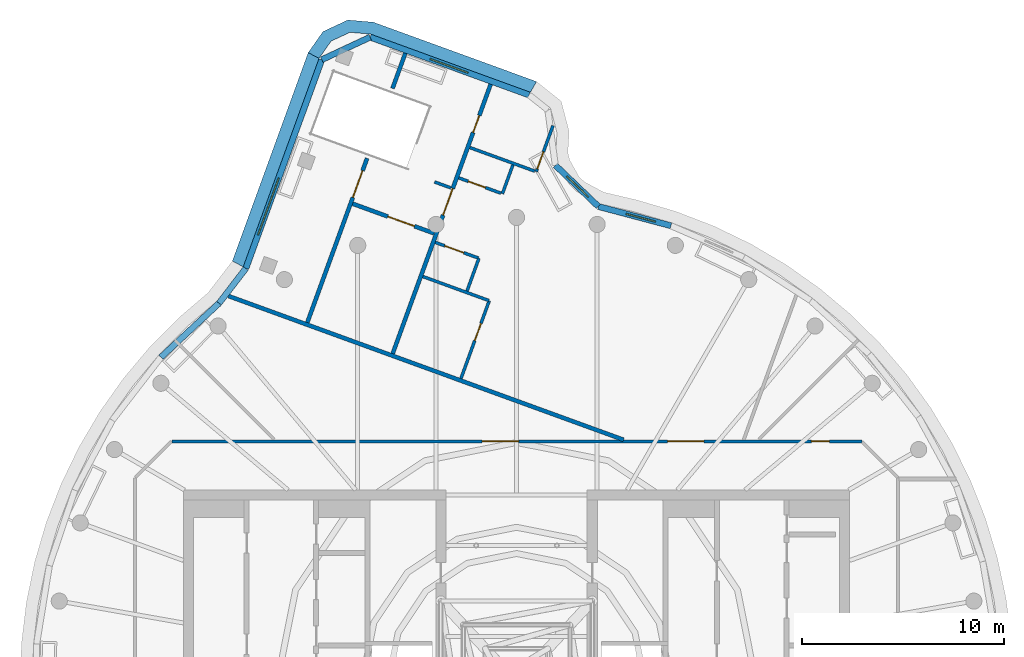
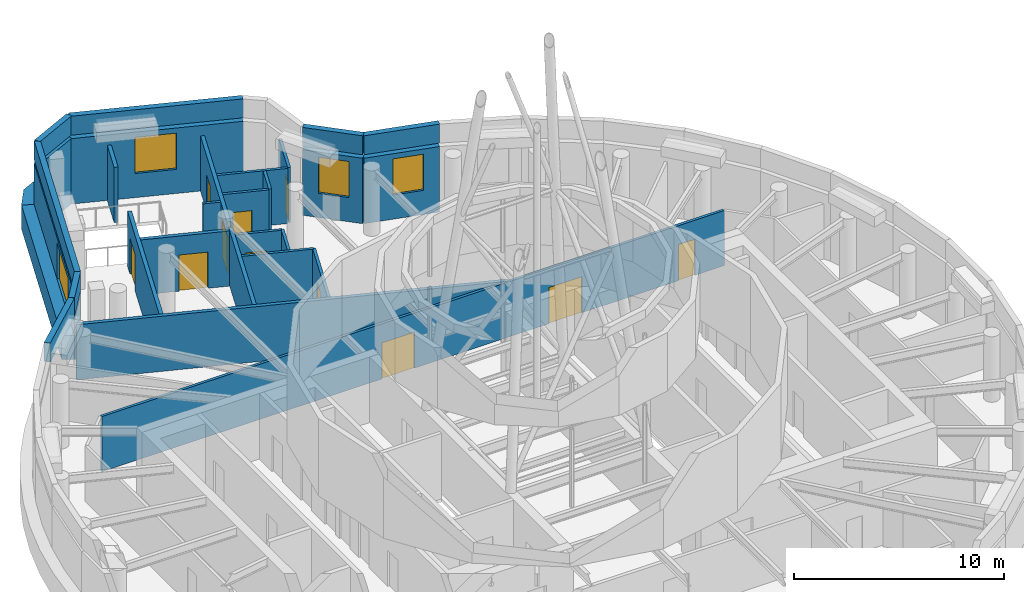
# One storey, part 14 of 17: 28 walls, 11 doors, 4 windows, 2 members, 15 openings.
"""IFC4 building model written with IfcOpenShell, lengths in metres."""

from ifc_helpers import new_model, si_unit, direction, frame, frame_2d, origin, place, context, subcontext, project, spatial, polyline, rectangle, outline, extrude, material, layer, layer_set, type_object, element, fill, aggregate, save


model = new_model("IFC4")

# Units and contexts
model_context = context("Model", 3, precision=1e-05, world=origin(), true_north=direction((0.0, 1.0)))
body_context = subcontext(model_context, "Body", "Model", "MODEL_VIEW")
ifc_project = project(units=[si_unit("LENGTHUNIT", "METRE"), si_unit("AREAUNIT", "SQUARE_METRE"), si_unit("VOLUMEUNIT", "CUBIC_METRE"), si_unit("PLANEANGLEUNIT", "RADIAN"), si_unit("MASSUNIT", "GRAM", prefix="KILO")], contexts=[model_context])

# Member
ifc_material_1 = material(Name="Aluminium and insulated spandrel panel", Category="aluminium")
member_type = type_object("IfcMemberType", Name="Floor-edge blade transom", PredefinedType="USERDEFINED", material=ifc_material_1)
site_placement = place(None, origin())
building_placement = place(site_placement, origin())
storey_placement = place(building_placement, frame((0.0, 0.0, 325.39990234375)))
member_1_placement = place(storey_placement, origin())
member_1 = element("IfcMember", 1, at=member_1_placement, type_object=member_type, Name="CWT-L80-00", ObjectType="TRANSOM", PredefinedType="USERDEFINED", context=body_context, shape_type="SweptSolid", body=[
    extrude(outline(polyline([(0.692626953125, 29.197021484375), (-7.21826171875, 32.076171875), (-8.249755859375, 32.16650390625), (-9.18798828125, 31.728759765625), (-9.78173828125, 30.880859375), (-10.318603515625, 31.16015625), (-9.587158203125, 32.20458984375), (-8.357666015625, 32.778076171875), (-7.08740234375, 32.6669921875), (0.9892578125, 29.7275390625), (0.692626953125, 29.197021484375)])), origin(), (0.0, 0.0, 1.0), 1.400146484375),
])

member_2_placement = place(storey_placement, origin())
member_2 = element("IfcMember", 2, at=member_2_placement, type_object=member_type, Name="CWT-L80-01", ObjectType="TRANSOM", PredefinedType="USERDEFINED", context=body_context, shape_type="SweptSolid", body=[
    extrude(outline(polyline([(-9.78173828125, 30.880859375), (-13.54248046875, 20.54736328125), (-14.07470703125, 20.839599609375), (-10.318603515625, 31.16015625), (-9.78173828125, 30.880859375)])), origin(), (0.0, 0.0, 1.0), 1.400146484375),
])

# Site, building, storey
site = spatial("IfcSite", under=ifc_project, at=site_placement, CompositionType="ELEMENT")
building = spatial("IfcBuilding", under=site, at=building_placement, Name="Tamarind Cross Interchange Tower", CompositionType="ELEMENT")
storey = spatial("IfcBuildingStorey", under=building, at=storey_placement, Name="L80", CompositionType="ELEMENT", Elevation=325.39990234375)

# Walls
ifc_material_2 = material(Name="Concrete C40", Category="concrete")
ifc_layer_1 = layer(ifc_material_2, 0.300048828125)
ifc_layer_set_1 = layer_set([ifc_layer_1], Name="Concrete C40")
wall_type_1 = type_object("IfcWallType", Name="Parapet upstand", PredefinedType="PARAPET", material=ifc_layer_set_1)
wall_1_placement = place(storey_placement, frame((0.61865234375, 29.064453125, 4.0), z_axis=(0.0, 0.0, 1.0), x_axis=(-0.93970742794, 0.341979458265, 0.0)))
element("IfcWall", 3, at=wall_1_placement, inside=storey, type_object=wall_type_1, Name="EXW-L80-P00-00", PredefinedType="PARAPET", context=body_context, shape_type="SweptSolid", body=[
    extrude(rectangle(XDim=8.374755859375, YDim=0.300048828125, at=frame_2d((4.1875, 0.0))), origin(), (0.0, 0.0, 1.0), 1.10009765625),
])
wall_2_placement = place(storey_placement, frame((-7.251220703125, 31.928466796875, 4.0), z_axis=(0.0, 0.0, 1.0), x_axis=(-0.906301055213, -0.422632697882, 0.0)))
element("IfcWall", 4, at=wall_2_placement, inside=storey, type_object=wall_type_1, Name="EXW-L80-P00-01", PredefinedType="PARAPET", context=body_context, shape_type="SweptSolid", body=[
    extrude(rectangle(XDim=2.64404296875, YDim=0.300048828125, at=frame_2d((1.322021484375, 0.0))), origin(), (0.0, 0.0, 1.0), 1.10009765625),
])
wall_3_placement = place(storey_placement, frame((-9.6474609375, 30.81103515625, 4.0), z_axis=(0.0, 0.0, 1.0), x_axis=(-0.341997884375, -0.939700722083, 0.0)))
element("IfcWall", 5, at=wall_3_placement, inside=storey, type_object=wall_type_1, Name="EXW-L80-P01-00", PredefinedType="PARAPET", context=body_context, shape_type="SweptSolid", body=[
    extrude(rectangle(XDim=11.0, YDim=0.300048828125, at=frame_2d((5.5, 0.0))), origin(), (0.0, 0.0, 1.0), 1.10009765625),
])
wall_4_placement = place(storey_placement, frame((-13.409423828125, 20.474365234375, 4.0), z_axis=(0.0, 0.0, 1.0), x_axis=(-0.609396950442, -0.792865282877, 0.0)))
element("IfcWall", 6, at=wall_4_placement, inside=storey, type_object=wall_type_1, Name="EXW-L80-P02-00", PredefinedType="PARAPET", context=body_context, shape_type="SweptSolid", body=[
    extrude(rectangle(XDim=2.180908203125, YDim=0.300048828125, at=frame_2d((1.09033203125, 0.0))), origin(), (0.0, 0.0, 1.0), 1.10009765625),
])
wall_5_placement = place(storey_placement, frame((-14.738525390625, 18.7451171875, 4.0), z_axis=(0.0, 0.0, 1.0), x_axis=(-0.73266715928, -0.680587124263, 0.0)))
element("IfcWall", 7, at=wall_5_placement, inside=storey, type_object=wall_type_1, Name="EXW-L80-P02-01", PredefinedType="PARAPET", context=body_context, shape_type="SweptSolid", body=[
    extrude(rectangle(XDim=3.923583984375, YDim=0.300048828125, at=frame_2d((1.9619140625, 0.0))), origin(), (0.0, 0.0, 1.0), 1.10009765625),
])
wall_6_placement = place(storey_placement, frame((7.6455078125, 22.5869140625, 4.0), z_axis=(0.0, 0.0, 1.0), x_axis=(-0.96658946477, 0.256329488347, 0.0)))
element("IfcWall", 8, at=wall_6_placement, inside=storey, type_object=wall_type_1, Name="EXW-L80-P02-33", PredefinedType="PARAPET", context=body_context, shape_type="SweptSolid", body=[
    extrude(rectangle(XDim=3.716552734375, YDim=0.300048828125, at=frame_2d((1.8583984375, 0.0))), origin(), (0.0, 0.0, 1.0), 1.10009765625),
])
wall_7_placement = place(storey_placement, frame((4.05322265625, 23.53955078125, 4.0), z_axis=(0.0, 0.0, 1.0), x_axis=(-0.721986485098, 0.691907158032, 0.0)))
element("IfcWall", 9, at=wall_7_placement, inside=storey, type_object=wall_type_1, Name="EXW-L80-P02-34", PredefinedType="PARAPET", context=body_context, shape_type="SweptSolid", body=[
    extrude(rectangle(XDim=2.954345703125, YDim=0.300048828125, at=frame_2d((1.47705078125, 0.0))), origin(), (0.0, 0.0, 1.0), 1.10009765625),
])
ifc_material_3 = material(Name="Gypsum board partition on steel studs", Category="steel")
ifc_layer_2 = layer(ifc_material_3, 0.14990234375)
ifc_layer_set_2 = layer_set([ifc_layer_2], Name="Gypsum board partition on steel studs")
wall_type_2 = type_object("IfcWallType", Name="Partition 150 mm EI 120", PredefinedType="PARTITIONING", material=ifc_layer_set_2)
wall_8_placement = place(storey_placement, frame((-4.639892578125, 20.07080078125, 0.0), z_axis=(0.0, 0.0, 1.0), x_axis=(0.939625353143, -0.342204903138, 0.0)))
element("IfcWall", 10, at=wall_8_placement, inside=storey, type_object=wall_type_2, Name="Partition L80-007", PredefinedType="PARTITIONING", context=body_context, shape_type="SweptSolid", body=[
    extrude(rectangle(XDim=3.480224609375, YDim=0.14990234375, at=frame_2d((1.740234375, 0.0))), origin(), (0.0, 0.0, 1.0), 3.2001953125),
])

# Wall, opening, door
wall_9_placement = place(storey_placement, frame((-4.02392578125, 21.76171875, 0.0), z_axis=(0.0, 0.0, 1.0), x_axis=(0.939640114695, -0.342164368185, 0.0)))
wall_9 = element("IfcWall", 11, at=wall_9_placement, inside=storey, type_object=wall_type_2, Name="Partition L80-008", PredefinedType="PARTITIONING", context=body_context, shape_type="SweptSolid", body=[
    extrude(rectangle(XDim=2.27978515625, YDim=0.14990234375, at=frame_2d((1.139892578125, 0.0))), origin(), (0.0, 0.0, 1.0), 3.2001953125),
])
opening_1_placement = place(wall_9_placement, frame((0.5, 0.0, 0.0)))
opening_1 = element("IfcOpeningElement", 12, at=opening_1_placement, cuts=wall_9, Name="Opening D02", PredefinedType="OPENING", context=body_context, shape_type="SweptSolid", body=[
    extrude(rectangle(XDim=1.0, YDim=2.10009765625, at=frame_2d((0.5, 1.050048828125))), frame((0.0, 0.0849609375, 0.0), z_axis=(0.0, -1.0, 0.0), x_axis=(1.0, 0.0, 0.0)), (0.0, 0.0, 1.0), 0.169921875),
])
ifc_material_4 = material(Name="Fire-resisting door set")
door_type_1 = type_object("IfcDoorType", Name="Interior door 1000 x 2100 FD60S", OperationType="SINGLE_SWING_LEFT", PredefinedType="DOOR", material=ifc_material_4)
door_1_placement = place(opening_1_placement, frame((1.0, 0.0, 0.0), z_axis=(0.0, 0.0, 1.0), x_axis=(-1.0, 0.0, 0.0)))
door_1 = element("IfcDoor", 13, at=door_1_placement, inside=storey, type_object=door_type_1, Name="Door D02", OperationType="SINGLE_SWING_LEFT", OverallHeight=2.10009765625, OverallWidth=1.0, PredefinedType="DOOR", context=body_context, shape_type="SweptSolid", body=[
    extrude(rectangle(XDim=1.0, YDim=2.10009765625, at=frame_2d((0.5, 1.050048828125))), frame((0.0, 0.02490234375, 0.0), z_axis=(0.0, -1.0, 0.0), x_axis=(1.0, 0.0, 0.0)), (0.0, 0.0, 1.0), 0.050048828125),
])
fill(opening_1, door_1)

# Wall
wall_10_placement = place(storey_placement, frame((-4.0634765625, 24.755859375, 0.0), z_axis=(0.0, 0.0, 1.0), x_axis=(0.939710329429, -0.341971485308, 0.0)))
element("IfcWall", 14, at=wall_10_placement, inside=storey, type_object=wall_type_2, Name="Partition L80-009", PredefinedType="PARTITIONING", context=body_context, shape_type="SweptSolid", body=[
    extrude(rectangle(XDim=0.858154296875, YDim=0.14990234375, at=frame_2d((0.42919921875, 0.0))), origin(), (0.0, 0.0, 1.0), 3.2001953125),
])

# Wall, opening, door
wall_11_placement = place(storey_placement, frame((-2.861083984375, 24.956787109375, 0.0), z_axis=(0.0, 0.0, 1.0), x_axis=(0.93968419655, -0.342043287836, 0.0)))
wall_11 = element("IfcWall", 15, at=wall_11_placement, inside=storey, type_object=wall_type_2, Name="Partition L80-010", PredefinedType="PARTITIONING", context=body_context, shape_type="SweptSolid", body=[
    extrude(rectangle(XDim=2.2197265625, YDim=0.14990234375, at=frame_2d((1.10986328125, 0.0))), origin(), (0.0, 0.0, 1.0), 3.2001953125),
])
opening_2_placement = place(wall_11_placement, frame((0.5, 0.0, 0.0)))
opening_2 = element("IfcOpeningElement", 16, at=opening_2_placement, cuts=wall_11, Name="Opening D03", PredefinedType="OPENING", context=body_context, shape_type="SweptSolid", body=[
    extrude(rectangle(XDim=0.89990234375, YDim=2.10009765625, at=frame_2d((0.449951171875, 1.050048828125))), frame((0.0, 0.0849609375, 0.0), z_axis=(0.0, -1.0, 0.0), x_axis=(1.0, 0.0, 0.0)), (0.0, 0.0, 1.0), 0.169921875),
])
door_type_2 = type_object("IfcDoorType", Name="Interior door 900 x 2100 FD60S", OperationType="SINGLE_SWING_LEFT", PredefinedType="DOOR", material=ifc_material_4)
door_2_placement = place(opening_2_placement, origin())
door_2 = element("IfcDoor", 17, at=door_2_placement, inside=storey, type_object=door_type_2, Name="Door D03", OperationType="SINGLE_SWING_RIGHT", OverallHeight=2.10009765625, OverallWidth=0.89990234375, PredefinedType="DOOR", context=body_context, shape_type="SweptSolid", body=[
    extrude(rectangle(XDim=0.89990234375, YDim=2.10009765625, at=frame_2d((0.449951171875, 1.050048828125))), frame((0.0, 0.02490234375, 0.0), z_axis=(0.0, -1.0, 0.0), x_axis=(1.0, 0.0, 0.0)), (0.0, 0.0, 1.0), 0.050048828125),
])
fill(opening_2, door_2)

# Wall
wall_12_placement = place(storey_placement, frame((-2.31396484375, 26.460693359375, 0.0), z_axis=(0.0, 0.0, 1.0), x_axis=(0.939653710072, -0.342127030718, 0.0)))
element("IfcWall", 18, at=wall_12_placement, inside=storey, type_object=wall_type_2, Name="Partition L80-011", PredefinedType="PARTITIONING", context=body_context, shape_type="SweptSolid", body=[
    extrude(rectangle(XDim=3.420166015625, YDim=0.14990234375, at=frame_2d((1.7099609375, 0.0))), origin(), (0.0, 0.0, 1.0), 3.2001953125),
])

# Wall, openings, doors
wall_13_placement = place(storey_placement, frame((-17.06494140625, 11.89990234375, 0.0), z_axis=(0.0, 0.0, 1.0), x_axis=(1.0, 0.0, 0.0)))
wall_13 = element("IfcWall", 19, at=wall_13_placement, inside=storey, type_object=wall_type_2, Name="Partition L80-013", PredefinedType="PARTITIONING", context=body_context, shape_type="SweptSolid", body=[
    extrude(rectangle(XDim=34.1650390625, YDim=0.14990234375, at=frame_2d((17.08251953125, 0.0))), origin(), (0.0, 0.0, 1.0), 3.2001953125),
])
opening_3_placement = place(wall_13_placement, frame((24.5439453125, 0.0, 0.0)))
opening_3 = element("IfcOpeningElement", 20, at=opening_3_placement, cuts=wall_13, Name="Opening D08", PredefinedType="OPENING", context=body_context, shape_type="SweptSolid", body=[
    extrude(rectangle(XDim=1.800048828125, YDim=2.10009765625, at=frame_2d((0.89990234375, 1.050048828125))), frame((0.0, 0.0849609375, 0.0), z_axis=(0.0, -1.0, 0.0), x_axis=(1.0, 0.0, 0.0)), (0.0, 0.0, 1.0), 0.169921875),
])
opening_4_placement = place(wall_13_placement, frame((31.6650390625, 0.0, 0.0)))
opening_4 = element("IfcOpeningElement", 21, at=opening_4_placement, cuts=wall_13, Name="Opening D09", PredefinedType="OPENING", context=body_context, shape_type="SweptSolid", body=[
    extrude(rectangle(XDim=0.89990234375, YDim=2.10009765625, at=frame_2d((0.449951171875, 1.050048828125))), frame((0.0, 0.0849609375, 0.0), z_axis=(0.0, -1.0, 0.0), x_axis=(1.0, 0.0, 0.0)), (0.0, 0.0, 1.0), 0.169921875),
])
opening_5_placement = place(wall_13_placement, frame((15.364990234375, 0.0, 0.0)))
opening_5 = element("IfcOpeningElement", 22, at=opening_5_placement, cuts=wall_13, Name="Opening D10", PredefinedType="OPENING", context=body_context, shape_type="SweptSolid", body=[
    extrude(rectangle(XDim=1.800048828125, YDim=2.10009765625, at=frame_2d((0.89990234375, 1.050048828125))), frame((0.0, 0.0849609375, 0.0), z_axis=(0.0, -1.0, 0.0), x_axis=(1.0, 0.0, 0.0)), (0.0, 0.0, 1.0), 0.169921875),
])
door_type_3 = type_object("IfcDoorType", Name="Interior door 1800 x 2100 FD60S", OperationType="DOUBLE_DOOR_SINGLE_SWING", PredefinedType="DOOR", material=ifc_material_4)
door_3_placement = place(opening_3_placement, frame((1.800048828125, 0.0, 0.0), z_axis=(0.0, 0.0, 1.0), x_axis=(-1.0, 0.0, 0.0)))
door_3 = element("IfcDoor", 23, at=door_3_placement, inside=storey, type_object=door_type_3, Name="Door D08", OperationType="DOUBLE_DOOR_SINGLE_SWING", OverallHeight=2.10009765625, OverallWidth=1.800048828125, PredefinedType="DOOR", context=body_context, shape_type="SweptSolid", body=[
    extrude(rectangle(XDim=1.800048828125, YDim=2.10009765625, at=frame_2d((0.89990234375, 1.050048828125))), frame((0.0, 0.02490234375, 0.0), z_axis=(0.0, -1.0, 0.0), x_axis=(1.0, 0.0, 0.0)), (0.0, 0.0, 1.0), 0.050048828125),
])
fill(opening_3, door_3)
door_4_placement = place(opening_5_placement, origin())
door_4 = element("IfcDoor", 24, at=door_4_placement, inside=storey, type_object=door_type_3, Name="Door D10", OperationType="DOUBLE_DOOR_SINGLE_SWING", OverallHeight=2.10009765625, OverallWidth=1.800048828125, PredefinedType="DOOR", context=body_context, shape_type="SweptSolid", body=[
    extrude(rectangle(XDim=1.800048828125, YDim=2.10009765625, at=frame_2d((0.89990234375, 1.050048828125))), frame((0.0, 0.02490234375, 0.0), z_axis=(0.0, -1.0, 0.0), x_axis=(1.0, 0.0, 0.0)), (0.0, 0.0, 1.0), 0.050048828125),
])
fill(opening_5, door_4)
door_5_placement = place(opening_4_placement, origin())
door_5 = element("IfcDoor", 25, at=door_5_placement, inside=storey, type_object=door_type_2, Name="Door D09", OperationType="SINGLE_SWING_LEFT", OverallHeight=2.10009765625, OverallWidth=0.89990234375, PredefinedType="DOOR", context=body_context, shape_type="SweptSolid", body=[
    extrude(rectangle(XDim=0.89990234375, YDim=2.10009765625, at=frame_2d((0.449951171875, 1.050048828125))), frame((0.0, 0.02490234375, 0.0), z_axis=(0.0, -1.0, 0.0), x_axis=(1.0, 0.0, 0.0)), (0.0, 0.0, 1.0), 0.050048828125),
])
fill(opening_4, door_5)

# Wall, opening, door
wall_14_placement = place(storey_placement, frame((-2.752685546875, 15.02099609375, 0.0), z_axis=(0.0, 0.0, 1.0), x_axis=(0.341929559358, 0.939725585709, 0.0)))
wall_14 = element("IfcWall", 26, at=wall_14_placement, inside=storey, type_object=wall_type_2, Name="Partition L80-026", PredefinedType="PARTITIONING", context=body_context, shape_type="SweptSolid", body=[
    extrude(rectangle(XDim=4.09912109375, YDim=0.14990234375, at=frame_2d((2.049560546875, 0.0))), origin(), (0.0, 0.0, 1.0), 3.2001953125),
])
opening_6_placement = place(wall_14_placement, frame((2.0, 0.0, 0.0)))
opening_6 = element("IfcOpeningElement", 27, at=opening_6_placement, cuts=wall_14, Name="Opening D14", PredefinedType="OPENING", context=body_context, shape_type="SweptSolid", body=[
    extrude(rectangle(XDim=0.89990234375, YDim=2.10009765625, at=frame_2d((0.449951171875, 1.050048828125))), frame((0.0, 0.0849609375, 0.0), z_axis=(0.0, -1.0, 0.0), x_axis=(1.0, 0.0, 0.0)), (0.0, 0.0, 1.0), 0.169921875),
])
door_6_placement = place(opening_6_placement, origin())
door_6 = element("IfcDoor", 28, at=door_6_placement, inside=storey, type_object=door_type_2, Name="Door D14", OperationType="SINGLE_SWING_LEFT", OverallHeight=2.10009765625, OverallWidth=0.89990234375, PredefinedType="DOOR", context=body_context, shape_type="SweptSolid", body=[
    extrude(rectangle(XDim=0.89990234375, YDim=2.10009765625, at=frame_2d((0.449951171875, 1.050048828125))), frame((0.0, 0.02490234375, 0.0), z_axis=(0.0, -1.0, 0.0), x_axis=(1.0, 0.0, 0.0)), (0.0, 0.0, 1.0), 0.050048828125),
])
fill(opening_6, door_6)

wall_15_placement = place(storey_placement, frame((0.974609375, 25.26318359375, 0.0), z_axis=(0.0, 0.0, 1.0), x_axis=(0.341863980667, 0.939749444652, 0.0)))
wall_15 = element("IfcWall", 29, at=wall_15_placement, inside=storey, type_object=wall_type_2, Name="Partition L80-027", PredefinedType="PARTITIONING", context=body_context, shape_type="SweptSolid", body=[
    extrude(rectangle(XDim=2.431640625, YDim=0.14990234375, at=frame_2d((1.2158203125, 0.0))), origin(), (0.0, 0.0, 1.0), 3.2001953125),
])
opening_7_placement = place(wall_15_placement, frame((0.14990234375, 0.0, 0.0)))
opening_7 = element("IfcOpeningElement", 30, at=opening_7_placement, cuts=wall_15, Name="Opening D15", PredefinedType="OPENING", context=body_context, shape_type="SweptSolid", body=[
    extrude(rectangle(XDim=0.89990234375, YDim=2.10009765625, at=frame_2d((0.449951171875, 1.050048828125))), frame((0.0, 0.0849609375, 0.0), z_axis=(0.0, -1.0, 0.0), x_axis=(1.0, 0.0, 0.0)), (0.0, 0.0, 1.0), 0.169921875),
])
door_7_placement = place(opening_7_placement, origin())
door_7 = element("IfcDoor", 31, at=door_7_placement, inside=storey, type_object=door_type_2, Name="Door D15", OperationType="SINGLE_SWING_RIGHT", OverallHeight=2.10009765625, OverallWidth=0.89990234375, PredefinedType="DOOR", context=body_context, shape_type="SweptSolid", body=[
    extrude(rectangle(XDim=0.89990234375, YDim=2.10009765625, at=frame_2d((0.449951171875, 1.050048828125))), frame((0.0, 0.02490234375, 0.0), z_axis=(0.0, -1.0, 0.0), x_axis=(1.0, 0.0, 0.0)), (0.0, 0.0, 1.0), 0.050048828125),
])
fill(opening_7, door_7)

# Walls
wall_16_placement = place(storey_placement, frame((-2.452392578125, 19.3544921875, 0.0), z_axis=(0.0, 0.0, 1.0), x_axis=(0.341765797908, 0.939785155969, 0.0)))
element("IfcWall", 32, at=wall_16_placement, inside=storey, type_object=wall_type_2, Name="Partition L80-028", PredefinedType="PARTITIONING", context=body_context, shape_type="SweptSolid", body=[
    extrude(rectangle(XDim=1.724365234375, YDim=0.14990234375, at=frame_2d((0.8623046875, 0.0))), origin(), (0.0, 0.0, 1.0), 3.2001953125),
])
wall_17_placement = place(storey_placement, frame((-0.700927734375, 24.17041015625, 0.0), z_axis=(0.0, 0.0, 1.0), x_axis=(0.341897280994, 0.939737329922, 0.0)))
element("IfcWall", 33, at=wall_17_placement, inside=storey, type_object=wall_type_2, Name="Partition L80-029", PredefinedType="PARTITIONING", context=body_context, shape_type="SweptSolid", body=[
    extrude(rectangle(XDim=1.525146484375, YDim=0.14990234375, at=frame_2d((0.7626953125, 0.0))), origin(), (0.0, 0.0, 1.0), 3.2001953125),
])
ifc_layer_3 = layer(ifc_material_3, 0.199951171875)
ifc_layer_set_3 = layer_set([ifc_layer_3], Name="Gypsum board partition on steel studs")
wall_type_3 = type_object("IfcWallType", Name="Partition 200 mm EI 180", PredefinedType="PARTITIONING", material=ifc_layer_set_3)
wall_18_placement = place(storey_placement, frame((-14.27099609375, 19.105712890625, 0.0), z_axis=(0.0, 0.0, 1.0), x_axis=(0.939707843555, -0.341978316216, 0.0)))
element("IfcWall", 34, at=wall_18_placement, inside=storey, type_object=wall_type_3, Name="Partition L80-005", PredefinedType="PARTITIONING", context=body_context, shape_type="SweptSolid", body=[
    extrude(rectangle(XDim=20.830322265625, YDim=0.199951171875, at=frame_2d((10.4150390625, 0.0))), origin(), (0.0, 0.0, 1.0), 3.2001953125),
])

# Wall, opening, door
wall_19_placement = place(storey_placement, frame((-8.115966796875, 23.6767578125, 0.0), z_axis=(0.0, 0.0, 1.0), x_axis=(0.939720382498, -0.341943859016, 0.0)))
wall_19 = element("IfcWall", 35, at=wall_19_placement, inside=storey, type_object=wall_type_3, Name="Partition L80-006", PredefinedType="PARTITIONING", context=body_context, shape_type="SweptSolid", body=[
    extrude(rectangle(XDim=4.29541015625, YDim=0.199951171875, at=frame_2d((2.147705078125, 0.0))), origin(), (0.0, 0.0, 1.0), 3.2001953125),
])
opening_8_placement = place(wall_19_placement, frame((1.85009765625, 0.0, 0.0)))
opening_8 = element("IfcOpeningElement", 36, at=opening_8_placement, cuts=wall_19, Name="Opening D01", PredefinedType="OPENING", context=body_context, shape_type="SweptSolid", body=[
    extrude(rectangle(XDim=1.39990234375, YDim=2.10009765625, at=frame_2d((0.699951171875, 1.050048828125))), frame((0.0, 0.10986328125, 0.0), z_axis=(0.0, -1.0, 0.0), x_axis=(1.0, 0.0, 0.0)), (0.0, 0.0, 1.0), 0.219970703125),
])
door_type_4 = type_object("IfcDoorType", Name="Interior door 1400 x 2100 FD120S", OperationType="DOUBLE_DOOR_SINGLE_SWING", PredefinedType="DOOR", material=ifc_material_4)
door_8_placement = place(opening_8_placement, frame((1.39990234375, 0.0, 0.0), z_axis=(0.0, 0.0, 1.0), x_axis=(-1.0, 0.0, 0.0)))
door_8 = element("IfcDoor", 37, at=door_8_placement, inside=storey, type_object=door_type_4, Name="Door D01", OperationType="DOUBLE_DOOR_SINGLE_SWING", OverallHeight=2.10009765625, OverallWidth=1.39990234375, PredefinedType="DOOR", context=body_context, shape_type="SweptSolid", body=[
    extrude(rectangle(XDim=1.39990234375, YDim=2.10009765625, at=frame_2d((0.699951171875, 1.050048828125))), frame((0.0, 0.02490234375, 0.0), z_axis=(0.0, -1.0, 0.0), x_axis=(1.0, 0.0, 0.0)), (0.0, 0.0, 1.0), 0.050048828125),
])
fill(opening_8, door_8)

wall_20_placement = place(storey_placement, frame((-10.36474609375, 17.791015625, 0.0), z_axis=(0.0, 0.0, 1.0), x_axis=(0.342032792834, 0.939688016645, 0.0)))
wall_20 = element("IfcWall", 38, at=wall_20_placement, inside=storey, type_object=wall_type_3, Name="Partition L80-022", PredefinedType="PARTITIONING", context=body_context, shape_type="SweptSolid", body=[
    extrude(rectangle(XDim=8.65966796875, YDim=0.199951171875, at=frame_2d((4.329833984375, 0.0))), origin(), (0.0, 0.0, 1.0), 3.2001953125),
])
opening_9_placement = place(wall_20_placement, frame((6.60009765625, 0.0, 0.0)))
opening_9 = element("IfcOpeningElement", 39, at=opening_9_placement, cuts=wall_20, Name="Opening D11", PredefinedType="OPENING", context=body_context, shape_type="SweptSolid", body=[
    extrude(rectangle(XDim=1.39990234375, YDim=2.10009765625, at=frame_2d((0.699951171875, 1.050048828125))), frame((0.0, 0.10986328125, 0.0), z_axis=(0.0, -1.0, 0.0), x_axis=(1.0, 0.0, 0.0)), (0.0, 0.0, 1.0), 0.219970703125),
])
door_9_placement = place(opening_9_placement, origin())
door_9 = element("IfcDoor", 40, at=door_9_placement, inside=storey, type_object=door_type_4, Name="Door D11", OperationType="DOUBLE_DOOR_SINGLE_SWING", OverallHeight=2.10009765625, OverallWidth=1.39990234375, PredefinedType="DOOR", context=body_context, shape_type="SweptSolid", body=[
    extrude(rectangle(XDim=1.39990234375, YDim=2.10009765625, at=frame_2d((0.699951171875, 1.050048828125))), frame((0.0, 0.02490234375, 0.0), z_axis=(0.0, -1.0, 0.0), x_axis=(1.0, 0.0, 0.0)), (0.0, 0.0, 1.0), 0.050048828125),
])
fill(opening_9, door_9)

# Walls
wall_21_placement = place(storey_placement, frame((-6.14404296875, 29.38720703125, 0.0), z_axis=(0.0, 0.0, 1.0), x_axis=(0.342080568825, 0.939670625502, 0.0)))
element("IfcWall", 41, at=wall_21_placement, inside=storey, type_object=wall_type_3, Name="Partition L80-023", PredefinedType="PARTITIONING", context=body_context, shape_type="SweptSolid", body=[
    extrude(rectangle(XDim=1.8583984375, YDim=0.199951171875, at=frame_2d((0.92919921875, 0.0))), origin(), (0.0, 0.0, 1.0), 3.2001953125),
])
wall_22_placement = place(storey_placement, frame((-6.1357421875, 16.251953125, 0.0), z_axis=(0.0, 0.0, 1.0), x_axis=(0.341890434998, 0.939739820619, 0.0)))
element("IfcWall", 42, at=wall_22_placement, inside=storey, type_object=wall_type_3, Name="Partition L80-024", PredefinedType="PARTITIONING", context=body_context, shape_type="SweptSolid", body=[
    extrude(rectangle(XDim=6.517578125, YDim=0.199951171875, at=frame_2d((3.2587890625, 0.0))), origin(), (0.0, 0.0, 1.0), 3.2001953125),
])

# Wall, openings, doors
wall_23_placement = place(storey_placement, frame((-3.753662109375, 22.799560546875, 0.0), z_axis=(0.0, 0.0, 1.0), x_axis=(0.341897570455, 0.93973722461, 0.0)))
wall_23 = element("IfcWall", 43, at=wall_23_placement, inside=storey, type_object=wall_type_3, Name="Partition L80-025", PredefinedType="PARTITIONING", context=body_context, shape_type="SweptSolid", body=[
    extrude(rectangle(XDim=7.2314453125, YDim=0.199951171875, at=frame_2d((3.61572265625, 0.0))), origin(), (0.0, 0.0, 1.0), 3.2001953125),
])
opening_10_placement = place(wall_23_placement, frame((0.332275390625, 0.0, 0.0)))
opening_10 = element("IfcOpeningElement", 44, at=opening_10_placement, cuts=wall_23, Name="Opening D12", PredefinedType="OPENING", context=body_context, shape_type="SweptSolid", body=[
    extrude(rectangle(XDim=1.39990234375, YDim=2.10009765625, at=frame_2d((0.699951171875, 1.050048828125))), frame((0.0, 0.10986328125, 0.0), z_axis=(0.0, -1.0, 0.0), x_axis=(1.0, 0.0, 0.0)), (0.0, 0.0, 1.0), 0.219970703125),
])
opening_11_placement = place(wall_23_placement, frame((4.6826171875, 0.0, 0.0)))
opening_11 = element("IfcOpeningElement", 45, at=opening_11_placement, cuts=wall_23, Name="Opening D13", PredefinedType="OPENING", context=body_context, shape_type="SweptSolid", body=[
    extrude(rectangle(XDim=0.89990234375, YDim=2.10009765625, at=frame_2d((0.449951171875, 1.050048828125))), frame((0.0, 0.10986328125, 0.0), z_axis=(0.0, -1.0, 0.0), x_axis=(1.0, 0.0, 0.0)), (0.0, 0.0, 1.0), 0.219970703125),
])
door_10_placement = place(opening_10_placement, frame((1.39990234375, 0.0, 0.0), z_axis=(0.0, 0.0, 1.0), x_axis=(-1.0, 0.0, 0.0)))
door_10 = element("IfcDoor", 46, at=door_10_placement, inside=storey, type_object=door_type_4, Name="Door D12", OperationType="DOUBLE_DOOR_SINGLE_SWING", OverallHeight=2.10009765625, OverallWidth=1.39990234375, PredefinedType="DOOR", context=body_context, shape_type="SweptSolid", body=[
    extrude(rectangle(XDim=1.39990234375, YDim=2.10009765625, at=frame_2d((0.699951171875, 1.050048828125))), frame((0.0, 0.02490234375, 0.0), z_axis=(0.0, -1.0, 0.0), x_axis=(1.0, 0.0, 0.0)), (0.0, 0.0, 1.0), 0.050048828125),
])
fill(opening_10, door_10)
door_type_5 = type_object("IfcDoorType", Name="Interior door 900 x 2100 FD120S", OperationType="SINGLE_SWING_LEFT", PredefinedType="DOOR", material=ifc_material_4)
door_11_placement = place(opening_11_placement, origin())
door_11 = element("IfcDoor", 47, at=door_11_placement, inside=storey, type_object=door_type_5, Name="Door D13", OperationType="SINGLE_SWING_LEFT", OverallHeight=2.10009765625, OverallWidth=0.89990234375, PredefinedType="DOOR", context=body_context, shape_type="SweptSolid", body=[
    extrude(rectangle(XDim=0.89990234375, YDim=2.10009765625, at=frame_2d((0.449951171875, 1.050048828125))), frame((0.0, 0.02490234375, 0.0), z_axis=(0.0, -1.0, 0.0), x_axis=(1.0, 0.0, 0.0)), (0.0, 0.0, 1.0), 0.050048828125),
])
fill(opening_11, door_11)

# Wall, opening, window
ifc_material_5 = material(Name="Precast concrete C40", Category="concrete")
ifc_layer_4 = layer(ifc_material_5, 0.300048828125)
ifc_layer_set_4 = layer_set([ifc_layer_4], Name="Precast concrete C40")
wall_type_4 = type_object("IfcWallType", Name="Plant louvre wall", PredefinedType="SOLIDWALL", material=ifc_layer_set_4)
wall_24_placement = place(storey_placement, frame((0.61865234375, 29.064453125, 0.0), z_axis=(0.0, 0.0, 1.0), x_axis=(-0.93970742794, 0.341979458265, 0.0)))
wall_24 = element("IfcWall", 48, at=wall_24_placement, inside=storey, type_object=wall_type_4, Name="EXW-L80-00-00", PredefinedType="SOLIDWALL", context=body_context, shape_type="SweptSolid", body=[
    extrude(rectangle(XDim=8.374755859375, YDim=0.300048828125, at=frame_2d((4.1875, 0.0))), origin(), (0.0, 0.0, 1.0), 3.800048828125),
])
opening_12_placement = place(wall_24_placement, frame((3.216796875, 0.0, 1.39990234375)))
opening_12 = element("IfcOpeningElement", 49, at=opening_12_placement, cuts=wall_24, Name="Opening W2", PredefinedType="OPENING", context=body_context, shape_type="SweptSolid", body=[
    extrude(rectangle(XDim=1.998291015625, YDim=2.10009765625, at=frame_2d((0.9990234375, 1.050048828125))), frame((0.0, 0.159912109375, 0.0), z_axis=(0.0, -1.0, 0.0), x_axis=(1.0, 0.0, 0.0)), (0.0, 0.0, 1.0), 0.320068359375),
])
ifc_material_6 = material(Name="Aluminium louvre", Category="aluminium")
window_type = type_object("IfcWindowType", Name="Plant louvre bank", PartitioningType="SINGLE_PANEL", PredefinedType="WINDOW", material=ifc_material_6)
window_1_placement = place(opening_12_placement, origin())
window_1 = element("IfcWindow", 50, at=window_1_placement, inside=storey, type_object=window_type, Name="WIN-L80-00-00", OverallHeight=2.10009765625, OverallWidth=1.998291015625, PartitioningType="SINGLE_PANEL", PredefinedType="WINDOW", context=body_context, shape_type="SweptSolid", body=[
    extrude(rectangle(XDim=1.998291015625, YDim=2.10009765625, at=frame_2d((0.9990234375, 1.050048828125))), frame((0.0, 0.030029296875, 0.0), z_axis=(0.0, -1.0, 0.0), x_axis=(1.0, 0.0, 0.0)), (0.0, 0.0, 1.0), 0.06005859375),
])
fill(opening_12, window_1)

aggregate(wall_24, [member_1])

# Wall
wall_25_placement = place(storey_placement, frame((-7.251220703125, 31.928466796875, 0.0), z_axis=(0.0, 0.0, 1.0), x_axis=(-0.906301055213, -0.422632697882, 0.0)))
element("IfcWall", 51, at=wall_25_placement, inside=storey, type_object=wall_type_4, Name="EXW-L80-00-01", PredefinedType="SOLIDWALL", context=body_context, shape_type="SweptSolid", body=[
    extrude(rectangle(XDim=2.64404296875, YDim=0.300048828125, at=frame_2d((1.322021484375, 0.0))), origin(), (0.0, 0.0, 1.0), 3.800048828125),
])

# Wall, opening, window
wall_26_placement = place(storey_placement, frame((-9.6474609375, 30.81103515625, 0.0), z_axis=(0.0, 0.0, 1.0), x_axis=(-0.341997884375, -0.939700722083, 0.0)))
wall_26 = element("IfcWall", 52, at=wall_26_placement, inside=storey, type_object=wall_type_4, Name="EXW-L80-01-00", PredefinedType="SOLIDWALL", context=body_context, shape_type="SweptSolid", body=[
    extrude(rectangle(XDim=11.0, YDim=0.300048828125, at=frame_2d((5.5, 0.0))), origin(), (0.0, 0.0, 1.0), 3.800048828125),
])
opening_13_placement = place(wall_26_placement, frame((6.230224609375, 0.0, 1.39990234375)))
opening_13 = element("IfcOpeningElement", 53, at=opening_13_placement, cuts=wall_26, Name="Opening W2", PredefinedType="OPENING", context=body_context, shape_type="SweptSolid", body=[
    extrude(rectangle(XDim=3.0, YDim=2.10009765625, at=frame_2d((1.5, 1.050048828125))), frame((0.0, 0.159912109375, 0.0), z_axis=(0.0, -1.0, 0.0), x_axis=(1.0, 0.0, 0.0)), (0.0, 0.0, 1.0), 0.320068359375),
])
window_2_placement = place(opening_13_placement, origin())
window_2 = element("IfcWindow", 54, at=window_2_placement, inside=storey, type_object=window_type, Name="WIN-L80-01-00", OverallHeight=2.10009765625, OverallWidth=3.0, PartitioningType="SINGLE_PANEL", PredefinedType="WINDOW", context=body_context, shape_type="SweptSolid", body=[
    extrude(rectangle(XDim=3.0, YDim=2.10009765625, at=frame_2d((1.5, 1.050048828125))), frame((0.0, 0.030029296875, 0.0), z_axis=(0.0, -1.0, 0.0), x_axis=(1.0, 0.0, 0.0)), (0.0, 0.0, 1.0), 0.06005859375),
])
fill(opening_13, window_2)

aggregate(wall_26, [member_2])

wall_27_placement = place(storey_placement, frame((7.6455078125, 22.5869140625, 0.0), z_axis=(0.0, 0.0, 1.0), x_axis=(-0.96658946477, 0.256329488347, 0.0)))
wall_27 = element("IfcWall", 55, at=wall_27_placement, inside=storey, type_object=wall_type_4, Name="EXW-L80-02-33", PredefinedType="SOLIDWALL", context=body_context, shape_type="SweptSolid", body=[
    extrude(rectangle(XDim=3.716552734375, YDim=0.300048828125, at=frame_2d((1.8583984375, 0.0))), origin(), (0.0, 0.0, 1.0), 3.800048828125),
])
opening_14_placement = place(wall_27_placement, frame((0.786865234375, 0.0, 1.39990234375)))
opening_14 = element("IfcOpeningElement", 56, at=opening_14_placement, cuts=wall_27, Name="Opening W2", PredefinedType="OPENING", context=body_context, shape_type="SweptSolid", body=[
    extrude(rectangle(XDim=1.509033203125, YDim=2.10009765625, at=frame_2d((0.75439453125, 1.050048828125))), frame((0.0, 0.159912109375, 0.0), z_axis=(0.0, -1.0, 0.0), x_axis=(1.0, 0.0, 0.0)), (0.0, 0.0, 1.0), 0.320068359375),
])
window_3_placement = place(opening_14_placement, origin())
window_3 = element("IfcWindow", 57, at=window_3_placement, inside=storey, type_object=window_type, Name="WIN-L80-02-33", OverallHeight=2.10009765625, OverallWidth=1.509033203125, PartitioningType="SINGLE_PANEL", PredefinedType="WINDOW", context=body_context, shape_type="SweptSolid", body=[
    extrude(rectangle(XDim=1.509033203125, YDim=2.10009765625, at=frame_2d((0.75439453125, 1.050048828125))), frame((0.0, 0.030029296875, 0.0), z_axis=(0.0, -1.0, 0.0), x_axis=(1.0, 0.0, 0.0)), (0.0, 0.0, 1.0), 0.06005859375),
])
fill(opening_14, window_3)

wall_28_placement = place(storey_placement, frame((4.05322265625, 23.53955078125, 0.0), z_axis=(0.0, 0.0, 1.0), x_axis=(-0.721986485098, 0.691907158032, 0.0)))
wall_28 = element("IfcWall", 58, at=wall_28_placement, inside=storey, type_object=wall_type_4, Name="EXW-L80-02-34", PredefinedType="SOLIDWALL", context=body_context, shape_type="SweptSolid", body=[
    extrude(rectangle(XDim=2.954345703125, YDim=0.300048828125, at=frame_2d((1.47705078125, 0.0))), origin(), (0.0, 0.0, 1.0), 3.800048828125),
])
opening_15_placement = place(wall_28_placement, frame((0.677734375, 0.0, 1.39990234375)))
opening_15 = element("IfcOpeningElement", 59, at=opening_15_placement, cuts=wall_28, Name="Opening W2", PredefinedType="OPENING", context=body_context, shape_type="SweptSolid", body=[
    extrude(rectangle(XDim=1.487548828125, YDim=2.10009765625, at=frame_2d((0.74365234375, 1.050048828125))), frame((0.0, 0.159912109375, 0.0), z_axis=(0.0, -1.0, 0.0), x_axis=(1.0, 0.0, 0.0)), (0.0, 0.0, 1.0), 0.320068359375),
])
window_4_placement = place(opening_15_placement, origin())
window_4 = element("IfcWindow", 60, at=window_4_placement, inside=storey, type_object=window_type, Name="WIN-L80-02-34", OverallHeight=2.10009765625, OverallWidth=1.487548828125, PartitioningType="SINGLE_PANEL", PredefinedType="WINDOW", context=body_context, shape_type="SweptSolid", body=[
    extrude(rectangle(XDim=1.487548828125, YDim=2.10009765625, at=frame_2d((0.74365234375, 1.050048828125))), frame((0.0, 0.030029296875, 0.0), z_axis=(0.0, -1.0, 0.0), x_axis=(1.0, 0.0, 0.0)), (0.0, 0.0, 1.0), 0.06005859375),
])
fill(opening_15, window_4)

save(model, "model.ifc")
